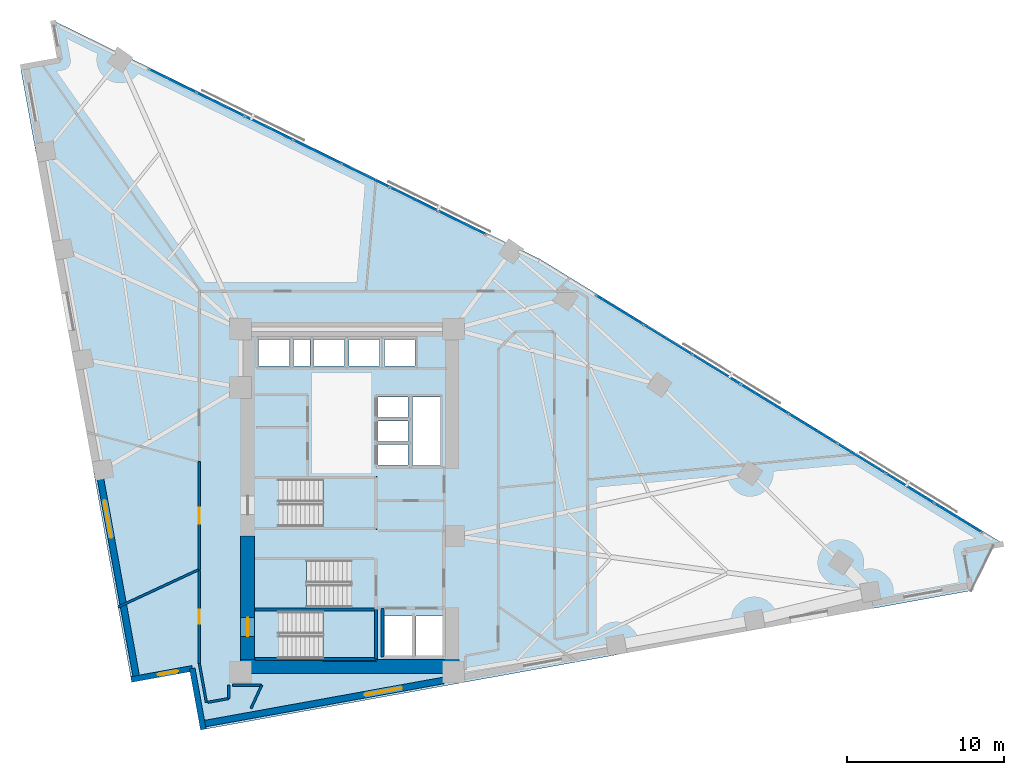
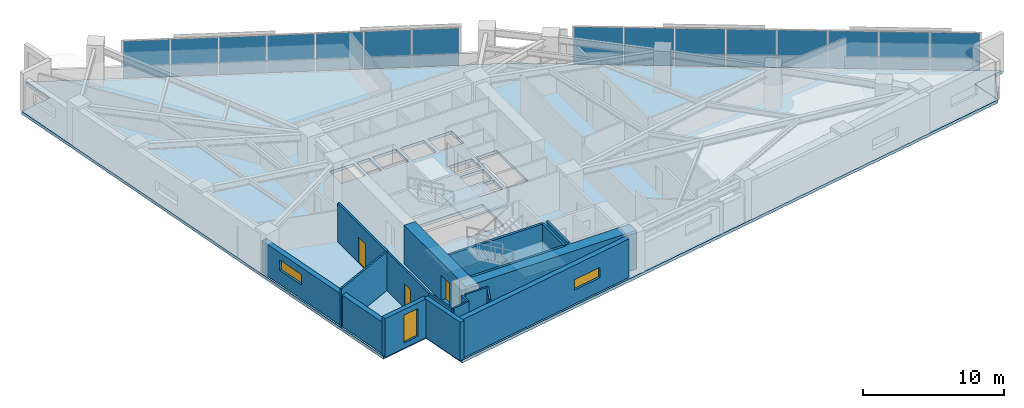
# One storey, part 12 of 18: 18 walls, 15 plates, 5 slabs, 3 doors, 3 windows, 6 openings, 5 elements without a shape of their own.
"""IFC4 building model written with IfcOpenShell, lengths in metres."""

from ifc_helpers import new_model, si_unit, direction, frame, frame_2d, origin, origin_2d, place, context, subcontext, project, spatial, polyline, rectangle, outline, extrude, material, layer, layer_set, type_object, element, fill, aggregate, save


model = new_model("IFC4")

# Units and contexts
model_context = context("Model", 3, precision=1e-05, world=origin(), true_north=direction((0.0, 1.0)))
body_context = subcontext(model_context, "Body", "Model", "MODEL_VIEW")
ifc_project = project(units=[si_unit("LENGTHUNIT", "METRE"), si_unit("AREAUNIT", "SQUARE_METRE"), si_unit("VOLUMEUNIT", "CUBIC_METRE"), si_unit("PLANEANGLEUNIT", "RADIAN"), si_unit("MASSUNIT", "GRAM", prefix="KILO")], contexts=[model_context])

# Site, building, storey
site_placement = place(None, origin())
site = spatial("IfcSite", under=ifc_project, at=site_placement, CompositionType="ELEMENT")
building_placement = place(site_placement, origin())
building = spatial("IfcBuilding", under=site, at=building_placement, Name="Narakoshi Arena Tower", CompositionType="ELEMENT")
storey_placement = place(building_placement, frame((0.0, 0.0, 102.89990234375)))
storey = spatial("IfcBuildingStorey", under=building, at=storey_placement, Name="L27", CompositionType="ELEMENT", Elevation=102.89990234375)

# Curtain wall, plates
ifc_material_1 = material(Name="Anodised bronze aluminium 6063-T6", Category="aluminium")
curtain_wall_type = type_object("IfcCurtainWallType", Name="CW-HYP-LOW", PredefinedType="NOTDEFINED", material=ifc_material_1)
curtain_wall_1_placement = place(storey_placement, origin())
curtain_wall_1 = element("IfcCurtainWall", 1, at=curtain_wall_1_placement, inside=storey, type_object=curtain_wall_type, Name="L27 Folded Hypotenuse Curtain Wall 1-1", PredefinedType="NOTDEFINED")
ifc_material_2 = material(Name="Bronze-tinted low-E laminated glass", Category="glass")
ifc_layer_1 = layer(ifc_material_2, 0.031982421875)
ifc_layer_set_1 = layer_set([ifc_layer_1], Name="Bronze-tinted low-E laminated glass")
plate_type = type_object("IfcPlateType", Name="PLT-GLZ-32", PredefinedType="CURTAIN_PANEL", material=ifc_layer_set_1)
plate_1_placement = place(storey_placement, frame((117.64013671875, 44.483642578125, 0.065185546875), z_axis=(0.0, 0.0, 1.0), x_axis=(-0.852113104237, 0.523357676535, 0.0)))
plate_1 = element("IfcPlate", 2, at=plate_1_placement, type_object=plate_type, Name="CW-01 panel 1.1", PredefinedType="CURTAIN_PANEL", context=body_context, shape_type="SweptSolid", body=[
    extrude(rectangle(XDim=3.498291015625, YDim=0.031982421875, at=origin_2d()), origin(), (0.0, 0.0, 1.0), 3.2099609375),
])
plate_2_placement = place(storey_placement, frame((114.5791015625, 46.36376953125, 0.065185546875), z_axis=(0.0, 0.0, 1.0), x_axis=(-0.852113104237, 0.523357676535, 0.0)))
plate_2 = element("IfcPlate", 3, at=plate_2_placement, type_object=plate_type, Name="CW-01 panel 2.1", PredefinedType="CURTAIN_PANEL", context=body_context, shape_type="SweptSolid", body=[
    extrude(rectangle(XDim=3.535888671875, YDim=0.031982421875, at=origin_2d()), origin(), (0.0, 0.0, 1.0), 3.2099609375),
])
plate_3_placement = place(storey_placement, frame((111.502197265625, 48.25341796875, 0.065185546875), z_axis=(0.0, 0.0, 1.0), x_axis=(-0.852113104237, 0.523357676535, 0.0)))
plate_3 = element("IfcPlate", 4, at=plate_3_placement, type_object=plate_type, Name="CW-01 panel 3.1", PredefinedType="CURTAIN_PANEL", context=body_context, shape_type="SweptSolid", body=[
    extrude(rectangle(XDim=3.535888671875, YDim=0.031982421875, at=origin_2d()), origin(), (0.0, 0.0, 1.0), 3.2099609375),
])
plate_4_placement = place(storey_placement, frame((108.42529296875, 50.143310546875, 0.065185546875), z_axis=(0.0, 0.0, 1.0), x_axis=(-0.852113104237, 0.523357676535, 0.0)))
plate_4 = element("IfcPlate", 5, at=plate_4_placement, type_object=plate_type, Name="CW-01 panel 4.1", PredefinedType="CURTAIN_PANEL", context=body_context, shape_type="SweptSolid", body=[
    extrude(rectangle(XDim=3.535888671875, YDim=0.031982421875, at=origin_2d()), origin(), (0.0, 0.0, 1.0), 3.2099609375),
])
plate_5_placement = place(storey_placement, frame((105.348388671875, 52.032958984375, 0.065185546875), z_axis=(0.0, 0.0, 1.0), x_axis=(-0.852113104237, 0.523357676535, 0.0)))
plate_5 = element("IfcPlate", 6, at=plate_5_placement, type_object=plate_type, Name="CW-01 panel 5.1", PredefinedType="CURTAIN_PANEL", context=body_context, shape_type="SweptSolid", body=[
    extrude(rectangle(XDim=3.535888671875, YDim=0.031982421875, at=origin_2d()), origin(), (0.0, 0.0, 1.0), 3.2099609375),
])
plate_6_placement = place(storey_placement, frame((102.271728515625, 53.9228515625, 0.065185546875), z_axis=(0.0, 0.0, 1.0), x_axis=(-0.852113104237, 0.523357676535, 0.0)))
plate_6 = element("IfcPlate", 7, at=plate_6_placement, type_object=plate_type, Name="CW-01 panel 6.1", PredefinedType="CURTAIN_PANEL", context=body_context, shape_type="SweptSolid", body=[
    extrude(rectangle(XDim=3.535888671875, YDim=0.031982421875, at=origin_2d()), origin(), (0.0, 0.0, 1.0), 3.2099609375),
])
plate_7_placement = place(storey_placement, frame((99.19482421875, 55.8125, 0.065185546875), z_axis=(0.0, 0.0, 1.0), x_axis=(-0.852113104237, 0.523357676535, 0.0)))
plate_7 = element("IfcPlate", 8, at=plate_7_placement, type_object=plate_type, Name="CW-01 panel 7.1", PredefinedType="CURTAIN_PANEL", context=body_context, shape_type="SweptSolid", body=[
    extrude(rectangle(XDim=3.535888671875, YDim=0.031982421875, at=origin_2d()), origin(), (0.0, 0.0, 1.0), 3.2099609375),
])
plate_8_placement = place(storey_placement, frame((96.1337890625, 57.692626953125, 0.065185546875), z_axis=(0.0, 0.0, 1.0), x_axis=(-0.852113104237, 0.523357676535, 0.0)))
plate_8 = element("IfcPlate", 9, at=plate_8_placement, type_object=plate_type, Name="CW-01 panel 8.1", PredefinedType="CURTAIN_PANEL", context=body_context, shape_type="SweptSolid", body=[
    extrude(rectangle(XDim=3.498291015625, YDim=0.031982421875, at=origin_2d()), origin(), (0.0, 0.0, 1.0), 3.2099609375),
])
aggregate(curtain_wall_1, [plate_1, plate_2, plate_3, plate_4, plate_5, plate_6, plate_7, plate_8])

curtain_wall_2_placement = place(storey_placement, origin())
curtain_wall_2 = element("IfcCurtainWall", 10, at=curtain_wall_2_placement, inside=storey, type_object=curtain_wall_type, Name="L27 Folded Hypotenuse Curtain Wall 2-1", PredefinedType="NOTDEFINED")
plate_9_placement = place(storey_placement, frame((86.0791015625, 63.259765625, 0.065185546875), z_axis=(0.0, 0.0, 1.0), x_axis=(-0.89799556291, 0.440004510198, 0.0)))
plate_9 = element("IfcPlate", 11, at=plate_9_placement, type_object=plate_type, Name="CW-01 panel 1.1", PredefinedType="CURTAIN_PANEL", context=body_context, shape_type="SweptSolid", body=[
    extrude(rectangle(XDim=3.309814453125, YDim=0.031982421875, at=origin_2d()), origin(), (0.0, 0.0, 1.0), 3.2099609375),
])
plate_10_placement = place(storey_placement, frame((83.022705078125, 64.75732421875, 0.065185546875), z_axis=(0.0, 0.0, 1.0), x_axis=(-0.89799556291, 0.440004510198, 0.0)))
plate_10 = element("IfcPlate", 12, at=plate_10_placement, type_object=plate_type, Name="CW-01 panel 2.1", PredefinedType="CURTAIN_PANEL", context=body_context, shape_type="SweptSolid", body=[
    extrude(rectangle(XDim=3.347412109375, YDim=0.031982421875, at=origin_2d()), origin(), (0.0, 0.0, 1.0), 3.2099609375),
])
plate_11_placement = place(storey_placement, frame((79.949462890625, 66.26318359375, 0.065185546875), z_axis=(0.0, 0.0, 1.0), x_axis=(-0.89799556291, 0.440004510198, 0.0)))
plate_11 = element("IfcPlate", 13, at=plate_11_placement, type_object=plate_type, Name="CW-01 panel 3.1", PredefinedType="CURTAIN_PANEL", context=body_context, shape_type="SweptSolid", body=[
    extrude(rectangle(XDim=3.347412109375, YDim=0.031982421875, at=origin_2d()), origin(), (0.0, 0.0, 1.0), 3.2099609375),
])
plate_12_placement = place(storey_placement, frame((76.8759765625, 67.76904296875, 0.065185546875), z_axis=(0.0, 0.0, 1.0), x_axis=(-0.89799556291, 0.440004510198, 0.0)))
plate_12 = element("IfcPlate", 14, at=plate_12_placement, type_object=plate_type, Name="CW-01 panel 4.1", PredefinedType="CURTAIN_PANEL", context=body_context, shape_type="SweptSolid", body=[
    extrude(rectangle(XDim=3.347412109375, YDim=0.031982421875, at=origin_2d()), origin(), (0.0, 0.0, 1.0), 3.2099609375),
])
plate_13_placement = place(storey_placement, frame((73.802734375, 69.27490234375, 0.065185546875), z_axis=(0.0, 0.0, 1.0), x_axis=(-0.89799556291, 0.440004510198, 0.0)))
plate_13 = element("IfcPlate", 15, at=plate_13_placement, type_object=plate_type, Name="CW-01 panel 5.1", PredefinedType="CURTAIN_PANEL", context=body_context, shape_type="SweptSolid", body=[
    extrude(rectangle(XDim=3.347412109375, YDim=0.031982421875, at=origin_2d()), origin(), (0.0, 0.0, 1.0), 3.2099609375),
])
plate_14_placement = place(storey_placement, frame((70.7294921875, 70.781005859375, 0.065185546875), z_axis=(0.0, 0.0, 1.0), x_axis=(-0.89799556291, 0.440004510198, 0.0)))
plate_14 = element("IfcPlate", 16, at=plate_14_placement, type_object=plate_type, Name="CW-01 panel 6.1", PredefinedType="CURTAIN_PANEL", context=body_context, shape_type="SweptSolid", body=[
    extrude(rectangle(XDim=3.347412109375, YDim=0.031982421875, at=origin_2d()), origin(), (0.0, 0.0, 1.0), 3.2099609375),
])
plate_15_placement = place(storey_placement, frame((67.673095703125, 72.278564453125, 0.065185546875), z_axis=(0.0, 0.0, 1.0), x_axis=(-0.89799556291, 0.440004510198, 0.0)))
plate_15 = element("IfcPlate", 17, at=plate_15_placement, type_object=plate_type, Name="CW-01 panel 7.1", PredefinedType="CURTAIN_PANEL", context=body_context, shape_type="SweptSolid", body=[
    extrude(rectangle(XDim=3.309814453125, YDim=0.031982421875, at=origin_2d()), origin(), (0.0, 0.0, 1.0), 3.2099609375),
])
aggregate(curtain_wall_2, [plate_9, plate_10, plate_11, plate_12, plate_13, plate_14, plate_15])

# Stair, slab
ifc_material_3 = material(Name="Concrete C45/55", Category="concrete")
stair_type = type_object("IfcStairType", Name="STR-CORE-360", PredefinedType="TWO_STRAIGHT_RUN_STAIR", material=ifc_material_3)
stair_1_placement = place(storey_placement, origin())
stair_1 = element("IfcStair", 18, at=stair_1_placement, inside=storey, type_object=stair_type, Name="L27 Core Escape Stair ST1", PredefinedType="TWO_STRAIGHT_RUN_STAIR")
ifc_layer_2 = layer(ifc_material_3, 0.18994140625)
ifc_layer_set_2 = layer_set([ifc_layer_2], Name="Concrete C45/55")
slab_type_1 = type_object("IfcSlabType", Name="SLB-LND-190", PredefinedType="LANDING", material=ifc_layer_set_2)
slab_1_placement = place(storey_placement, frame((0.0, 0.0, 1.610107421875)))
slab_1 = element("IfcSlab", 19, at=slab_1_placement, type_object=slab_type_1, Name="ST1 landing 1", PredefinedType="LANDING", context=body_context, shape_type="SweptSolid", body=[
    extrude(outline(polyline([(77.25, 35.3701171875), (80.679931640625, 35.3701171875), (80.679931640625, 38.72998046875), (77.25, 38.72998046875), (77.25, 35.3701171875)])), origin(), (0.0, 0.0, 1.0), 0.18994140625),
])
aggregate(stair_1, [slab_1])

stair_2_placement = place(storey_placement, origin())
stair_2 = element("IfcStair", 20, at=stair_2_placement, inside=storey, type_object=stair_type, Name="L27 Core Escape Stair ST2", PredefinedType="TWO_STRAIGHT_RUN_STAIR")
slab_2_placement = place(storey_placement, frame((0.0, 0.0, 1.610107421875)))
slab_2 = element("IfcSlab", 21, at=slab_2_placement, type_object=slab_type_1, Name="ST2 landing 1", PredefinedType="LANDING", context=body_context, shape_type="SweptSolid", body=[
    extrude(outline(polyline([(72.77001953125, 38.6201171875), (76.199951171875, 38.6201171875), (76.199951171875, 41.97998046875), (72.77001953125, 41.97998046875), (72.77001953125, 38.6201171875)])), origin(), (0.0, 0.0, 1.0), 0.18994140625),
])
aggregate(stair_2, [slab_2])

stair_3_placement = place(storey_placement, origin())
stair_3 = element("IfcStair", 22, at=stair_3_placement, inside=storey, type_object=stair_type, Name="L27 Core Escape Stair ST3", PredefinedType="TWO_STRAIGHT_RUN_STAIR")
slab_3_placement = place(storey_placement, frame((0.0, 0.0, 1.610107421875)))
slab_3 = element("IfcSlab", 23, at=slab_3_placement, type_object=slab_type_1, Name="ST3 landing 1", PredefinedType="LANDING", context=body_context, shape_type="SweptSolid", body=[
    extrude(outline(polyline([(77.25, 43.77001953125), (80.679931640625, 43.77001953125), (80.679931640625, 47.1298828125), (77.25, 47.1298828125), (77.25, 43.77001953125)])), origin(), (0.0, 0.0, 1.0), 0.18994140625),
])
aggregate(stair_3, [slab_3])

# Slabs
ifc_material_4 = material(Name="Concrete C50/60", Category="concrete")
ifc_layer_3 = layer(ifc_material_4, 0.260009765625)
ifc_layer_set_3 = layer_set([ifc_layer_3], Name="Concrete C50/60")
slab_type_2 = type_object("IfcSlabType", Name="SLB-SKY-260", PredefinedType="FLOOR", material=ifc_layer_set_3)
slab_4_placement = place(storey_placement, frame((0.0, 0.0, -0.260009765625)))
element("IfcSlab", 24, at=slab_4_placement, inside=storey, type_object=slab_type_2, Name="L27 Structural Floor Slab", PredefinedType="FLOOR", context=body_context, shape_type="SweptSolid", body=[
    extrude(outline(polyline([(69.626953125, 31.03271484375), (118.466796875, 39.8642578125), (118.01025390625, 42.3896484375), (120.535400390625, 42.84619140625), (91.034912109375, 60.965087890625), (60.066162109375, 76.139404296875), (60.522705078125, 73.614013671875), (57.99755859375, 73.157470703125), (65.039306640625, 34.215087890625), (68.92431640625, 34.91748046875), (69.626953125, 31.03271484375)]), holes=[polyline([(80.5, 35.550048828125), (74.47998046875, 35.550048828125), (74.47998046875, 38.550048828125), (80.5, 38.550048828125), (80.5, 35.550048828125)]), polyline([(82.89990234375, 35.75), (81.14990234375, 35.75), (81.14990234375, 38.25), (82.89990234375, 38.25), (82.89990234375, 35.75)]), polyline([(83.14990234375, 35.75), (83.14990234375, 38.25), (84.89990234375, 38.25), (84.89990234375, 35.75), (83.14990234375, 35.75)]), polyline([(72.949951171875, 38.800048828125), (72.949951171875, 41.800048828125), (78.969970703125, 41.800048828125), (78.969970703125, 38.800048828125), (72.949951171875, 38.800048828125)]), polyline([(74.47998046875, 43.949951171875), (74.47998046875, 46.949951171875), (80.5, 46.949951171875), (80.5, 43.949951171875), (74.47998046875, 43.949951171875)]), polyline([(82.949951171875, 47.840087890625), (82.949951171875, 52.199951171875), (84.699951171875, 52.199951171875), (84.699951171875, 47.840087890625), (82.949951171875, 47.840087890625)]), polyline([(80.75, 47.85009765625), (80.75, 49.14990234375), (82.64990234375, 49.14990234375), (82.64990234375, 47.85009765625), (80.75, 47.85009765625)]), polyline([(80.75, 49.3701171875), (80.75, 50.669921875), (82.64990234375, 50.669921875), (82.64990234375, 49.3701171875), (80.75, 49.3701171875)]), polyline([(80.75, 50.889892578125), (80.75, 52.18994140625), (82.64990234375, 52.18994140625), (82.64990234375, 50.889892578125), (80.75, 50.889892578125)]), polyline([(73.14990234375, 54.14990234375), (73.14990234375, 55.85009765625), (75.10009765625, 55.85009765625), (75.10009765625, 54.14990234375), (73.14990234375, 54.14990234375)]), polyline([(75.35009765625, 54.14990234375), (75.35009765625, 55.85009765625), (76.39990234375, 55.85009765625), (76.39990234375, 54.14990234375), (75.35009765625, 54.14990234375)]), polyline([(76.64990234375, 54.14990234375), (76.64990234375, 55.85009765625), (78.60009765625, 55.85009765625), (78.60009765625, 54.14990234375), (76.64990234375, 54.14990234375)]), polyline([(78.89990234375, 54.14990234375), (78.89990234375, 55.85009765625), (80.85009765625, 55.85009765625), (80.85009765625, 54.14990234375), (78.89990234375, 54.14990234375)]), polyline([(81.14990234375, 54.14990234375), (81.14990234375, 55.85009765625), (83.10009765625, 55.85009765625), (83.10009765625, 54.14990234375), (81.14990234375, 54.14990234375)])]), origin(), (0.0, 0.0, 1.0), 0.260009765625),
])
ifc_layer_4 = layer(ifc_material_3, 0.239990234375)
ifc_layer_set_4 = layer_set([ifc_layer_4], Name="Concrete C45/55")
slab_type_3 = type_object("IfcSlabType", Name="SLB-TERR-240", PredefinedType="ROOF", material=ifc_layer_set_4)
slab_5_placement = place(storey_placement, frame((0.0, 0.0, -0.239990234375)))
element("IfcSlab", 25, at=slab_5_placement, inside=storey, type_object=slab_type_3, Name="L27 Corner Notch Loggia Balcony Slab", PredefinedType="ROOF", context=body_context, shape_type="SweptSolid", body=[
    extrude(outline(polyline([(119.8779296875, 42.72509765625), (118.012939453125, 42.387939453125), (118.468017578125, 39.866943359375), (119.8779296875, 42.72509765625)])), origin(), (0.0, 0.0, 1.0), 0.239990234375),
])

# Wall, opening, door
ifc_material_5 = material(Name="Concrete C60/75", Category="concrete")
ifc_layer_5 = layer(ifc_material_5, 0.89990234375)
ifc_layer_set_5 = layer_set([ifc_layer_5], Name="Concrete C60/75")
wall_type_1 = type_object("IfcWallType", Name="WL-CORE-900", PredefinedType="SHEAR", material=ifc_layer_set_5)
wall_1_placement = place(storey_placement, frame((72.449951171875, 35.5, -0.260009765625), z_axis=(0.0, 0.0, 1.0), x_axis=(0.0, 1.0, 0.0)))
wall_1 = element("IfcWall", 26, at=wall_1_placement, inside=storey, type_object=wall_type_1, Name="L27 Central Core Shear Wall CW-APX-W", PredefinedType="SHEAR", context=body_context, shape_type="SweptSolid", body=[
    extrude(rectangle(XDim=7.85009765625, YDim=0.89990234375, at=frame_2d((3.925048828125, 0.0))), origin(), (0.0, 0.0, 1.0), 3.60009765625),
])
opening_1_placement = place(wall_1_placement, frame((1.449951171875, 0.0, 0.260009765625)))
opening_1 = element("IfcOpeningElement", 27, at=opening_1_placement, cuts=wall_1, Name="Opening D-03", PredefinedType="OPENING", context=body_context, shape_type="SweptSolid", body=[
    extrude(rectangle(XDim=1.199951171875, YDim=2.199951171875, at=frame_2d((0.60009765625, 1.10009765625))), frame((0.0, 0.4599609375, 0.0), z_axis=(0.0, -1.0, 0.0), x_axis=(1.0, 0.0, 0.0)), (0.0, 0.0, 1.0), 0.919921875),
])
ifc_material_6 = material(Name="Painted galvanized steel", Category="steel")
door_type_1 = type_object("IfcDoorType", Name="DR-STR-1200", OperationType="NOTDEFINED", PredefinedType="USERDEFINED", material=ifc_material_6)
door_1_placement = place(opening_1_placement, frame((1.199951171875, 0.0, 0.0), z_axis=(0.0, 0.0, 1.0), x_axis=(-1.0, 0.0, 0.0)))
door_1 = element("IfcDoor", 28, at=door_1_placement, inside=storey, type_object=door_type_1, Name="DR-L27-002", ObjectType="EXITDOOR", OperationType="SINGLE_SWING_LEFT", OverallHeight=2.199951171875, OverallWidth=1.199951171875, PredefinedType="USERDEFINED", context=body_context, shape_type="SweptSolid", body=[
    extrude(rectangle(XDim=1.199951171875, YDim=2.199951171875, at=frame_2d((0.60009765625, 1.10009765625))), frame((0.0, 0.02490234375, 0.0), z_axis=(0.0, -1.0, 0.0), x_axis=(1.0, 0.0, 0.0)), (0.0, 0.0, 1.0), 0.050048828125),
])
fill(opening_1, door_1)

# Wall
wall_2_placement = place(storey_placement, frame((72.0, 35.050048828125, -0.260009765625), z_axis=(0.0, 0.0, 1.0), x_axis=(1.0, 0.0, 0.0)))
element("IfcWall", 29, at=wall_2_placement, inside=storey, type_object=wall_type_1, Name="L27 Central Core Shear Wall CW-APX-S", PredefinedType="SHEAR", context=body_context, shape_type="SweptSolid", body=[
    extrude(rectangle(XDim=13.89990234375, YDim=0.89990234375, at=frame_2d((6.949951171875, 0.0))), origin(), (0.0, 0.0, 1.0), 3.60009765625),
])

# Wall, opening, door
ifc_material_7 = material(Name="Gypsum plasterboard fire-rated partition")
ifc_layer_6 = layer(ifc_material_7, 0.1650390625)
ifc_layer_set_6 = layer_set([ifc_layer_6], Name="Gypsum plasterboard fire-rated partition")
wall_type_2 = type_object("IfcWallType", Name="WL-CORR-165", PredefinedType="PARTITIONING", material=ifc_layer_set_6)
wall_3_placement = place(storey_placement, frame((69.376220703125, 48.086181640625, 0.0), z_axis=(0.0, 0.0, 1.0), x_axis=(0.0, -1.0, 0.0)))
wall_3 = element("IfcWall", 30, at=wall_3_placement, inside=storey, type_object=wall_type_2, Name="L27 Corridor Partition 01-1", PredefinedType="PARTITIONING", context=body_context, shape_type="SweptSolid", body=[
    extrude(rectangle(XDim=6.8974609375, YDim=0.1650390625, at=frame_2d((3.44873046875, 0.0))), origin(), (0.0, 0.0, 1.0), 3.340087890625),
])
opening_2_placement = place(wall_3_placement, frame((2.94873046875, 0.0, 0.0)))
opening_2 = element("IfcOpeningElement", 31, at=opening_2_placement, cuts=wall_3, Name="Opening D-06", PredefinedType="OPENING", context=body_context, shape_type="SweptSolid", body=[
    extrude(rectangle(XDim=1.0, YDim=2.199951171875, at=frame_2d((0.5, 1.10009765625))), frame((0.0, 0.092529296875, 0.0), z_axis=(0.0, -1.0, 0.0), x_axis=(1.0, 0.0, 0.0)), (0.0, 0.0, 1.0), 0.18505859375),
])
ifc_material_8 = material(Name="Stained oak solid-core timber", Category="wood")
door_type_2 = type_object("IfcDoorType", Name="DR-OFF-1000", OperationType="NOTDEFINED", PredefinedType="DOOR", material=ifc_material_8)
door_2_placement = place(opening_2_placement, frame((1.0, 0.0, 0.0), z_axis=(0.0, 0.0, 1.0), x_axis=(-1.0, 0.0, 0.0)))
door_2 = element("IfcDoor", 32, at=door_2_placement, inside=storey, type_object=door_type_2, Name="DR-L27-015", OperationType="SINGLE_SWING_LEFT", OverallHeight=2.199951171875, OverallWidth=1.0, PredefinedType="DOOR", context=body_context, shape_type="SweptSolid", body=[
    extrude(rectangle(XDim=1.0, YDim=2.199951171875, at=frame_2d((0.5, 1.10009765625))), frame((0.0, 0.02490234375, 0.0), z_axis=(0.0, -1.0, 0.0), x_axis=(1.0, 0.0, 0.0)), (0.0, 0.0, 1.0), 0.050048828125),
])
fill(opening_2, door_2)

# Wall, opening, window
ifc_material_9 = material(Name="Precast concrete C45/55", Category="concrete")
ifc_layer_7 = layer(ifc_material_9, 0.419921875)
ifc_layer_set_7 = layer_set([ifc_layer_7], Name="Precast concrete C45/55")
wall_type_3 = type_object("IfcWallType", Name="WL-POD-420", PredefinedType="SOLIDWALL", material=ifc_layer_set_7)
wall_4_placement = place(storey_placement, frame((69.564697265625, 31.376953125, 0.0), z_axis=(0.0, 0.0, 1.0), x_axis=(0.98404091451, 0.177942346197, 0.0)))
wall_4 = element("IfcWall", 33, at=wall_4_placement, inside=storey, type_object=wall_type_3, Name="L27 Architectural Concrete Facade Wall LEGA-1", PredefinedType="SOLIDWALL", context=body_context, shape_type="SweptSolid", body=[
    extrude(rectangle(XDim=15.58349609375, YDim=0.419921875, at=frame_2d((7.791748046875, 0.0))), origin(), (0.0, 0.0, 1.0), 3.340087890625),
])
opening_3_placement = place(wall_4_placement, frame((10.5, 0.0, 1.199951171875)))
opening_3 = element("IfcOpeningElement", 34, at=opening_3_placement, cuts=wall_4, Name="Opening WN-01", PredefinedType="OPENING", context=body_context, shape_type="SweptSolid", body=[
    extrude(rectangle(XDim=2.39990234375, YDim=0.89990234375, at=frame_2d((1.199951171875, 0.449951171875))), frame((0.0, 0.219970703125, 0.0), z_axis=(0.0, -1.0, 0.0), x_axis=(1.0, 0.0, 0.0)), (0.0, 0.0, 1.0), 0.43994140625),
])
window_type_1 = type_object("IfcWindowType", Name="WIN-SLT-24x09", PartitioningType="SINGLE_PANEL", PredefinedType="WINDOW", material=ifc_material_2)
window_1_placement = place(opening_3_placement, origin())
window_1 = element("IfcWindow", 35, at=window_1_placement, inside=storey, type_object=window_type_1, Name="L27 LEGA1 Horizontal Slot Window 1", OverallHeight=0.89990234375, OverallWidth=2.39990234375, PartitioningType="SINGLE_PANEL", PredefinedType="WINDOW", context=body_context, shape_type="SweptSolid", body=[
    extrude(rectangle(XDim=2.39990234375, YDim=0.89990234375, at=frame_2d((1.199951171875, 0.449951171875))), frame((0.0, 0.030029296875, 0.0), z_axis=(0.0, -1.0, 0.0), x_axis=(1.0, 0.0, 0.0)), (0.0, 0.0, 1.0), 0.06005859375),
])
fill(opening_3, window_1)

wall_5_placement = place(storey_placement, frame((62.989501953125, 47.517578125, 0.0), z_axis=(0.0, 0.0, 1.0), x_axis=(0.177948058674, -0.984039881516, 0.0)))
wall_5 = element("IfcWall", 36, at=wall_5_placement, inside=storey, type_object=wall_type_3, Name="L27 Architectural Concrete Facade Wall LEGB-3", PredefinedType="SOLIDWALL", context=body_context, shape_type="SweptSolid", body=[
    extrude(rectangle(XDim=13.455078125, YDim=0.419921875, at=frame_2d((6.7275390625, 0.0))), origin(), (0.0, 0.0, 1.0), 2.72509765625),
])
opening_4_placement = place(wall_5_placement, frame((1.945068359375, 0.0, 1.199951171875)))
opening_4 = element("IfcOpeningElement", 37, at=opening_4_placement, cuts=wall_5, Name="Opening WN-01", PredefinedType="OPENING", context=body_context, shape_type="SweptSolid", body=[
    extrude(rectangle(XDim=2.39990234375, YDim=0.89990234375, at=frame_2d((1.199951171875, 0.449951171875))), frame((0.0, 0.219970703125, 0.0), z_axis=(0.0, -1.0, 0.0), x_axis=(1.0, 0.0, 0.0)), (0.0, 0.0, 1.0), 0.43994140625),
])
window_2_placement = place(opening_4_placement, origin())
window_2 = element("IfcWindow", 38, at=window_2_placement, inside=storey, type_object=window_type_1, Name="L27 LEGB3 Horizontal Slot Window 1", OverallHeight=0.89990234375, OverallWidth=2.39990234375, PartitioningType="SINGLE_PANEL", PredefinedType="WINDOW", context=body_context, shape_type="SweptSolid", body=[
    extrude(rectangle(XDim=2.39990234375, YDim=0.89990234375, at=frame_2d((1.199951171875, 0.449951171875))), frame((0.0, 0.030029296875, 0.0), z_axis=(0.0, -1.0, 0.0), x_axis=(1.0, 0.0, 0.0)), (0.0, 0.0, 1.0), 0.06005859375),
])
fill(opening_4, window_2)

wall_6_placement = place(storey_placement, frame((65.039306640625, 34.215087890625, 0.0), z_axis=(0.0, 0.0, 1.0), x_axis=(0.984046535247, 0.177911260096, 0.0)))
wall_6 = element("IfcWall", 39, at=wall_6_placement, inside=storey, type_object=wall_type_3, Name="L27 Re-Entrant Corner Notch Wall NTA-1", PredefinedType="SOLIDWALL", context=body_context, shape_type="SweptSolid", body=[
    extrude(rectangle(XDim=3.947998046875, YDim=0.360107421875, at=frame_2d((1.97412109375, 0.0))), origin(), (0.0, 0.0, 1.0), 3.340087890625),
])
opening_5_placement = place(wall_6_placement, frame((1.73388671875, 0.0, 0.449951171875)))
opening_5 = element("IfcOpeningElement", 40, at=opening_5_placement, cuts=wall_6, Name="Opening WN-06", PredefinedType="OPENING", context=body_context, shape_type="SweptSolid", body=[
    extrude(rectangle(XDim=1.300048828125, YDim=2.39990234375, at=frame_2d((0.64990234375, 1.199951171875))), frame((0.0, 0.18994140625, 0.0), z_axis=(0.0, -1.0, 0.0), x_axis=(1.0, 0.0, 0.0)), (0.0, 0.0, 1.0), 0.380126953125),
])
window_type_2 = type_object("IfcWindowType", Name="WIN-NTC-16x24", PartitioningType="SINGLE_PANEL", PredefinedType="WINDOW", material=ifc_material_2)
window_3_placement = place(opening_5_placement, origin())
window_3 = element("IfcWindow", 41, at=window_3_placement, inside=storey, type_object=window_type_2, Name="L27 Corner Notch Window NTA", OverallHeight=2.39990234375, OverallWidth=1.300048828125, PartitioningType="SINGLE_PANEL", PredefinedType="WINDOW", context=body_context, shape_type="SweptSolid", body=[
    extrude(rectangle(XDim=1.300048828125, YDim=2.39990234375, at=frame_2d((0.64990234375, 1.199951171875))), frame((0.0, 0.030029296875, 0.0), z_axis=(0.0, -1.0, 0.0), x_axis=(1.0, 0.0, 0.0)), (0.0, 0.0, 1.0), 0.06005859375),
])
fill(opening_5, window_3)

# Walls
wall_7_placement = place(storey_placement, frame((68.92431640625, 34.91748046875, 0.0), z_axis=(0.0, 0.0, 1.0), x_axis=(0.177981971326, -0.984033748346, 0.0)))
element("IfcWall", 42, at=wall_7_placement, inside=storey, type_object=wall_type_3, Name="L27 Re-Entrant Corner Notch Wall NTA-2", PredefinedType="SOLIDWALL", context=body_context, shape_type="SweptSolid", body=[
    extrude(rectangle(XDim=3.94775390625, YDim=0.360107421875, at=frame_2d((1.973876953125, 0.0))), origin(), (0.0, 0.0, 1.0), 3.340087890625),
])
ifc_layer_8 = layer(ifc_material_4, 0.35009765625)
ifc_layer_set_8 = layer_set([ifc_layer_8], Name="Concrete C50/60")
wall_type_4 = type_object("IfcWallType", Name="WL-SHAFT-350", PredefinedType="SOLIDWALL", material=ifc_layer_set_8)
for number, where, z_axis, x_axis, name in (
    (43, (72.919921875, 35.52001953125, -0.260009765625), (0.0, 0.0, 1.0), (1.0, 0.0, 0.0), "L27 Core Wall ST1-S"),
    (44, (72.919921875, 38.675048828125, -0.260009765625), (0.0, 0.0, 1.0), (1.0, 0.0, 0.0), "L27 Core Wall ST12-DIV"),
):
    element("IfcWall", number, at=place(storey_placement, frame(where, z_axis=z_axis, x_axis=x_axis)), inside=storey, type_object=wall_type_4, Name=name, PredefinedType="SOLIDWALL", context=body_context, shape_type="SweptSolid", body=[
        extrude(rectangle(XDim=7.7001953125, YDim=0.199951171875, at=frame_2d((3.85009765625, 0.0))), origin(), (0.0, 0.0, 1.0), 3.60009765625),
    ])
wall_8_placement = place(storey_placement, frame((80.6201171875, 35.52001953125, -0.260009765625), z_axis=(0.0, 0.0, 1.0), x_axis=(0.0, 1.0, 0.0)))
element("IfcWall", 45, at=wall_8_placement, inside=storey, type_object=wall_type_4, Name="L27 Core Wall ST1-E", PredefinedType="SOLIDWALL", context=body_context, shape_type="SweptSolid", body=[
    extrude(rectangle(XDim=3.155029296875, YDim=0.199951171875, at=frame_2d((1.57763671875, 0.0))), origin(), (0.0, 0.0, 1.0), 3.60009765625),
])
wall_9_placement = place(storey_placement, frame((81.02001953125, 35.64990234375, 0.0), z_axis=(0.0, 0.0, 1.0), x_axis=(0.0, 1.0, 0.0)))
element("IfcWall", 46, at=wall_9_placement, inside=storey, type_object=wall_type_4, Name="L27 Core Wall FF-W", PredefinedType="SOLIDWALL", context=body_context, shape_type="SweptSolid", body=[
    extrude(rectangle(XDim=3.10009765625, YDim=0.179931640625, at=frame_2d((1.550048828125, 0.0))), origin(), (0.0, 0.0, 1.0), 3.340087890625),
])
ifc_material_10 = material(Name="Moisture-resistant cement-board partition")
ifc_layer_9 = layer(ifc_material_10, 0.14501953125)
ifc_layer_set_9 = layer_set([ifc_layer_9], Name="Moisture-resistant cement-board partition")
wall_type_5 = type_object("IfcWallType", Name="WL-WET-145", PredefinedType="PARTITIONING", material=ifc_layer_set_9)
wall_10_placement = place(storey_placement, frame((69.30419921875, 41.188720703125, 0.0), z_axis=(0.0, 0.0, 1.0), x_axis=(-0.907161799285, -0.420781974326, 0.0)))
element("IfcWall", 47, at=wall_10_placement, inside=storey, type_object=wall_type_5, Name="L27 Inter-Room Partition 01-02", PredefinedType="PARTITIONING", context=body_context, shape_type="SweptSolid", body=[
    extrude(rectangle(XDim=5.619873046875, YDim=0.14501953125, at=frame_2d((2.81005859375, 0.0))), origin(), (0.0, 0.0, 1.0), 3.340087890625),
])

# Wall, opening, door
wall_11_placement = place(storey_placement, frame((69.376220703125, 41.162353515625, 0.0), z_axis=(0.0, 0.0, 1.0), x_axis=(0.0, -1.0, 0.0)))
wall_11 = element("IfcWall", 48, at=wall_11_placement, inside=storey, type_object=wall_type_5, Name="L27 Corridor Partition 02-1", PredefinedType="PARTITIONING", context=body_context, shape_type="SweptSolid", body=[
    extrude(rectangle(XDim=5.93359375, YDim=0.14501953125, at=frame_2d((2.966796875, 0.0))), origin(), (0.0, 0.0, 1.0), 3.340087890625),
])
opening_6_placement = place(wall_11_placement, frame((2.516845703125, 0.0, 0.0)))
opening_6 = element("IfcOpeningElement", 49, at=opening_6_placement, cuts=wall_11, Name="Opening D-08", PredefinedType="OPENING", context=body_context, shape_type="SweptSolid", body=[
    extrude(rectangle(XDim=0.89990234375, YDim=2.10009765625, at=frame_2d((0.449951171875, 1.050048828125))), frame((0.0, 0.08251953125, 0.0), z_axis=(0.0, -1.0, 0.0), x_axis=(1.0, 0.0, 0.0)), (0.0, 0.0, 1.0), 0.1650390625),
])
ifc_material_11 = material(Name="Moisture-resistant laminate timber", Category="wood")
door_type_3 = type_object("IfcDoorType", Name="DR-WC-900", OperationType="NOTDEFINED", PredefinedType="DOOR", material=ifc_material_11)
door_3_placement = place(opening_6_placement, frame((0.89990234375, 0.0, 0.0), z_axis=(0.0, 0.0, 1.0), x_axis=(-1.0, 0.0, 0.0)))
door_3 = element("IfcDoor", 50, at=door_3_placement, inside=storey, type_object=door_type_3, Name="DR-L27-016", OperationType="SINGLE_SWING_LEFT", OverallHeight=2.10009765625, OverallWidth=0.89990234375, PredefinedType="DOOR", context=body_context, shape_type="SweptSolid", body=[
    extrude(rectangle(XDim=0.89990234375, YDim=2.10009765625, at=frame_2d((0.449951171875, 1.050048828125))), frame((0.0, 0.02490234375, 0.0), z_axis=(0.0, -1.0, 0.0), x_axis=(1.0, 0.0, 0.0)), (0.0, 0.0, 1.0), 0.050048828125),
])
fill(opening_6, door_3)

# Walls
wall_12_placement = place(storey_placement, frame((69.376220703125, 35.228759765625, 0.0), z_axis=(0.0, 0.0, 1.0), x_axis=(0.177889398074, -0.984050487553, 0.0)))
element("IfcWall", 51, at=wall_12_placement, inside=storey, type_object=wall_type_5, Name="L27 Corridor Partition 02-2", PredefinedType="PARTITIONING", context=body_context, shape_type="SweptSolid", body=[
    extrude(rectangle(XDim=2.52392578125, YDim=0.14501953125, at=frame_2d((1.261962890625, 0.0))), origin(), (0.0, 0.0, 1.0), 3.340087890625),
])
wall_13_placement = place(storey_placement, frame((69.908447265625, 32.76025390625, 0.0), z_axis=(0.0, 0.0, 1.0), x_axis=(0.984029967613, 0.178002873122, 0.0)))
element("IfcWall", 52, at=wall_13_placement, inside=storey, type_object=wall_type_5, Name="L27 Corridor Partition 02-3", PredefinedType="PARTITIONING", context=body_context, shape_type="SweptSolid", body=[
    extrude(rectangle(XDim=1.36328125, YDim=0.14501953125, at=frame_2d((0.681640625, 0.0))), origin(), (0.0, 0.0, 1.0), 3.340087890625),
])
wall_14_placement = place(storey_placement, frame((71.25, 33.0029296875, 0.0), z_axis=(0.0, 0.0, 1.0), x_axis=(0.0, 1.0, 0.0)))
element("IfcWall", 53, at=wall_14_placement, inside=storey, type_object=wall_type_5, Name="L27 Corridor Partition 02-4", PredefinedType="PARTITIONING", context=body_context, shape_type="SweptSolid", body=[
    extrude(rectangle(XDim=0.84716796875, YDim=0.14501953125, at=frame_2d((0.423583984375, 0.0))), origin(), (0.0, 0.0, 1.0), 3.340087890625),
])
wall_15_placement = place(storey_placement, frame((71.482421875, 33.85009765625, 0.0), z_axis=(0.0, 0.0, 1.0), x_axis=(1.0, 0.0, 0.0)))
element("IfcWall", 54, at=wall_15_placement, inside=storey, type_object=wall_type_5, Name="L27 Room Enclosure Partition 02-1", PredefinedType="PARTITIONING", context=body_context, shape_type="SweptSolid", body=[
    extrude(rectangle(XDim=1.86279296875, YDim=0.14501953125, at=frame_2d((0.931396484375, 0.0))), origin(), (0.0, 0.0, 1.0), 3.340087890625),
])
wall_16_placement = place(storey_placement, frame((73.34521484375, 33.85009765625, 0.0), z_axis=(0.0, 0.0, 1.0), x_axis=(-0.420238004054, -0.907413918754, 0.0)))
element("IfcWall", 55, at=wall_16_placement, inside=storey, type_object=wall_type_5, Name="L27 Room Enclosure Partition 02-2", PredefinedType="PARTITIONING", context=body_context, shape_type="SweptSolid", body=[
    extrude(rectangle(XDim=1.626708984375, YDim=0.14501953125, at=frame_2d((0.8134765625, 0.0))), origin(), (0.0, 0.0, 1.0), 3.340087890625),
])

save(model, "model.ifc")
